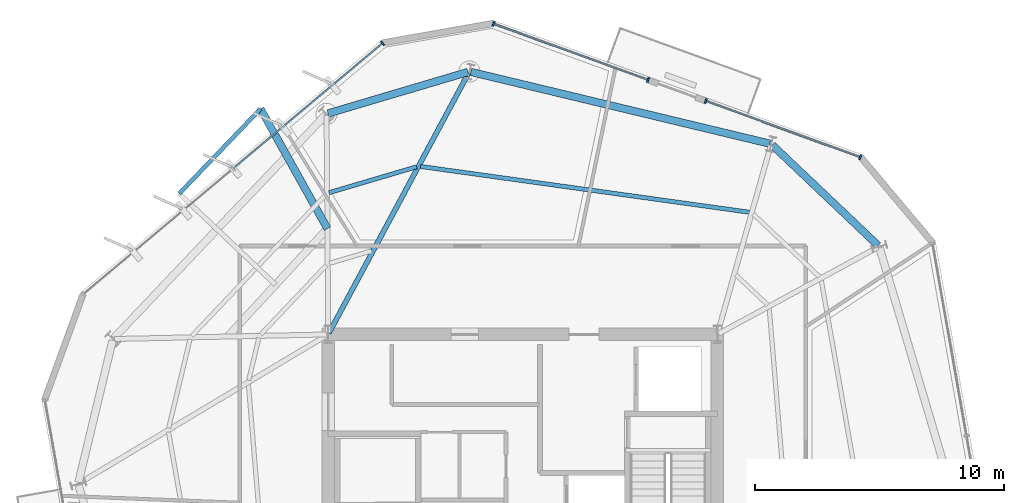
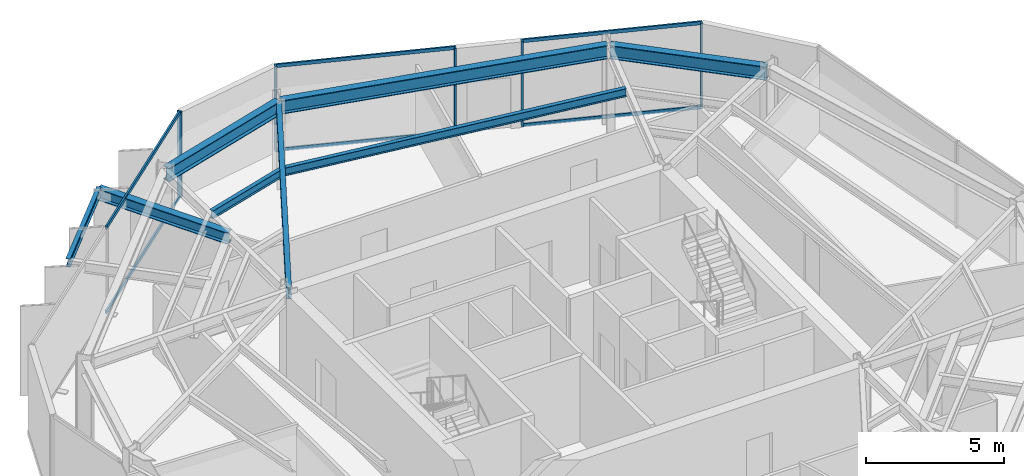
# One storey, part 5 of 11: 11 members, 8 beams, 3 elements without a shape of their own.
"""IFC4 building model written with IfcOpenShell, lengths in metres."""

from ifc_helpers import new_model, si_unit, direction, frame, origin, origin_2d, place, context, subcontext, project, spatial, rectangle, i_section, extrude, material, layer, layer_set, material_profile, profile_set, type_object, element, aggregate, save


model = new_model("IFC4")

# Units and contexts
model_context = context("Model", 3, precision=1e-05, world=origin(), true_north=direction((0.0, 1.0)))
body_context = subcontext(model_context, "Body", "Model", "MODEL_VIEW")
ifc_project = project(units=[si_unit("LENGTHUNIT", "METRE"), si_unit("AREAUNIT", "SQUARE_METRE"), si_unit("VOLUMEUNIT", "CUBIC_METRE"), si_unit("PLANEANGLEUNIT", "RADIAN"), si_unit("MASSUNIT", "GRAM", prefix="KILO")], contexts=[model_context])

# Site, building, storey
site_placement = place(None, origin())
site = spatial("IfcSite", under=ifc_project, at=site_placement, CompositionType="ELEMENT")
building_placement = place(site_placement, origin())
building = spatial("IfcBuilding", under=site, at=building_placement, Name="Kranzbogen Civic Tower", CompositionType="ELEMENT")
storey_placement = place(building_placement, frame((0.0, 0.0, 184.800048828125)))
storey = spatial("IfcBuildingStorey", under=building, at=storey_placement, Name="L44", CompositionType="ELEMENT", Elevation=184.800048828125)

# Curtain wall, members
ifc_material_1 = material(Name="Pale Anodised Aluminium", Category="aluminium")
ifc_layer = layer(ifc_material_1, 0.219970703125, Name="Pale Anodised Aluminium")
ifc_layer_set = layer_set([ifc_layer], Name="Pale Anodised Aluminium")
curtain_wall_type = type_object("IfcCurtainWallType", Name="Zone 3 Stick Curtain Wall System CW-04", PredefinedType="USERDEFINED", material=ifc_layer_set)
curtain_wall_1_placement = place(storey_placement, origin())
curtain_wall_1 = element("IfcCurtainWall", 1, at=curtain_wall_1_placement, inside=storey, type_object=curtain_wall_type, Name="L44 curtain wall CW-L44-F1-S1", ObjectType="STICK CURTAIN WALL", PredefinedType="USERDEFINED")
ifc_material_profile_1 = material_profile(ifc_material_1, rectangle(XDim=0.070068359375, YDim=0.199951171875, at=origin_2d()), Name="ALU-M 70x200")
ifc_profile_set_1 = profile_set([ifc_material_profile_1], Name="Pale Anodised Aluminium")
member_type_1 = type_object("IfcMemberType", Name="Curtain Wall Mullion ALU-M 70x200", PredefinedType="MULLION", material=ifc_profile_set_1)
member_1_placement = place(storey_placement, frame((38.53271484375, 39.30517578125, 0.0), z_axis=(0.0, 0.0, 1.0), x_axis=(-0.93967049042, 0.342080939887, 0.0)))
member_1 = element("IfcMember", 2, at=member_1_placement, type_object=member_type_1, Name="CW-04 mullion 1", PredefinedType="MULLION", context=body_context, shape_type="SweptSolid", body=[
    extrude(rectangle(XDim=0.070068359375, YDim=0.199951171875, at=origin_2d()), origin(), (0.0, 0.0, 1.0), 3.780029296875),
])
member_2_placement = place(storey_placement, frame((32.337158203125, 41.560791015625, 0.0), z_axis=(0.0, 0.0, 1.0), x_axis=(-0.93967049042, 0.342080939887, 0.0)))
member_2 = element("IfcMember", 3, at=member_2_placement, type_object=member_type_1, Name="CW-04 mullion 2", PredefinedType="MULLION", context=body_context, shape_type="SweptSolid", body=[
    extrude(rectangle(XDim=0.070068359375, YDim=0.199951171875, at=origin_2d()), origin(), (0.0, 0.0, 1.0), 3.780029296875),
])

curtain_wall_2_placement = place(storey_placement, origin())
curtain_wall_2 = element("IfcCurtainWall", 4, at=curtain_wall_2_placement, inside=storey, type_object=curtain_wall_type, Name="L44 curtain wall CW-L44-F1-S2", ObjectType="STICK CURTAIN WALL", PredefinedType="USERDEFINED")
member_3_placement = place(storey_placement, frame((30.02587890625, 42.40234375, 0.0), z_axis=(0.0, 0.0, 1.0), x_axis=(-0.93968807461, 0.342032633583, 0.0)))
member_3 = element("IfcMember", 5, at=member_3_placement, type_object=member_type_1, Name="CW-04 mullion 1", PredefinedType="MULLION", context=body_context, shape_type="SweptSolid", body=[
    extrude(rectangle(XDim=0.070068359375, YDim=0.199951171875, at=origin_2d()), origin(), (0.0, 0.0, 1.0), 3.780029296875),
])
member_4_placement = place(storey_placement, frame((23.8291015625, 44.65771484375, 0.0), z_axis=(0.0, 0.0, 1.0), x_axis=(-0.93968807461, 0.342032633583, 0.0)))
member_4 = element("IfcMember", 6, at=member_4_placement, type_object=member_type_1, Name="CW-04 mullion 2", PredefinedType="MULLION", context=body_context, shape_type="SweptSolid", body=[
    extrude(rectangle(XDim=0.070068359375, YDim=0.199951171875, at=origin_2d()), origin(), (0.0, 0.0, 1.0), 3.780029296875),
])

# Curtain wall, member
curtain_wall_3_placement = place(storey_placement, origin())
curtain_wall_3 = element("IfcCurtainWall", 7, at=curtain_wall_3_placement, inside=storey, type_object=curtain_wall_type, Name="L44 curtain wall CW-L44-F2", ObjectType="STICK CURTAIN WALL", PredefinedType="USERDEFINED")
member_5_placement = place(storey_placement, frame((19.376953125, 43.872802734375, 0.0), z_axis=(0.0, 0.0, 1.0), x_axis=(-0.766072212874, -0.642754513529, 0.0)))
member_5 = element("IfcMember", 8, at=member_5_placement, type_object=member_type_1, Name="CW-04 mullion 1", PredefinedType="MULLION", context=body_context, shape_type="SweptSolid", body=[
    extrude(rectangle(XDim=0.070068359375, YDim=0.199951171875, at=origin_2d()), origin(), (0.0, 0.0, 1.0), 3.780029296875),
])

# Member
ifc_material_profile_2 = material_profile(ifc_material_1, rectangle(XDim=0.070068359375, YDim=0.14990234375, at=origin_2d()), Name="ALU-T 70x150")
ifc_profile_set_2 = profile_set([ifc_material_profile_2], Name="Pale Anodised Aluminium")
member_type_2 = type_object("IfcMemberType", Name="Curtain Wall Transom ALU-T 70x150", PredefinedType="USERDEFINED", material=ifc_profile_set_2)
member_6_placement = place(storey_placement, frame((38.504638671875, 39.3154296875, 0.030029296875), z_axis=(-0.939661337162, 0.342106082149, 0.0), x_axis=(-0.342106082149, -0.939661337162, 0.0)))
member_6 = element("IfcMember", 9, at=member_6_placement, type_object=member_type_2, Name="CW-04 transom 1.1", ObjectType="TRANSOM", PredefinedType="USERDEFINED", context=body_context, shape_type="SweptSolid", body=[
    extrude(rectangle(XDim=0.070068359375, YDim=0.14990234375, at=origin_2d()), origin(), (0.0, 0.0, 1.0), 6.533447265625),
])

member_7_placement = place(storey_placement, frame((38.504638671875, 39.3154296875, 3.75), z_axis=(-0.939661337162, 0.342106082149, 0.0), x_axis=(-0.342106082149, -0.939661337162, 0.0)))
member_7 = element("IfcMember", 10, at=member_7_placement, type_object=member_type_2, Name="CW-04 transom 1.2", ObjectType="TRANSOM", PredefinedType="USERDEFINED", context=body_context, shape_type="SweptSolid", body=[
    extrude(rectangle(XDim=0.070068359375, YDim=0.14990234375, at=origin_2d()), origin(), (0.0, 0.0, 1.0), 6.533447265625),
])

aggregate(curtain_wall_1, [member_1, member_2, member_6, member_7])

member_8_placement = place(storey_placement, frame((29.99755859375, 42.41259765625, 0.030029296875), z_axis=(-0.939690836229, 0.342025046316, 0.0), x_axis=(-0.342025046316, -0.939690836229, 0.0)))
member_8 = element("IfcMember", 11, at=member_8_placement, type_object=member_type_2, Name="CW-04 transom 1.1", ObjectType="TRANSOM", PredefinedType="USERDEFINED", context=body_context, shape_type="SweptSolid", body=[
    extrude(rectangle(XDim=0.070068359375, YDim=0.14990234375, at=origin_2d()), origin(), (0.0, 0.0, 1.0), 6.5341796875),
])

member_9_placement = place(storey_placement, frame((29.99755859375, 42.41259765625, 3.75), z_axis=(-0.939690836229, 0.342025046316, 0.0), x_axis=(-0.342025046316, -0.939690836229, 0.0)))
member_9 = element("IfcMember", 12, at=member_9_placement, type_object=member_type_2, Name="CW-04 transom 1.2", ObjectType="TRANSOM", PredefinedType="USERDEFINED", context=body_context, shape_type="SweptSolid", body=[
    extrude(rectangle(XDim=0.070068359375, YDim=0.14990234375, at=origin_2d()), origin(), (0.0, 0.0, 1.0), 6.5341796875),
])

aggregate(curtain_wall_2, [member_3, member_4, member_8, member_9])

member_10_placement = place(storey_placement, frame((19.35400390625, 43.853515625, 0.030029296875), z_axis=(-0.766064667028, -0.642763507001, 0.0), x_axis=(0.642763507001, -0.766064667028, 0.0)))
member_10 = element("IfcMember", 13, at=member_10_placement, type_object=member_type_2, Name="CW-04 transom 1.1", ObjectType="TRANSOM", PredefinedType="USERDEFINED", context=body_context, shape_type="SweptSolid", body=[
    extrude(rectangle(XDim=0.070068359375, YDim=0.14990234375, at=origin_2d()), origin(), (0.0, 0.0, 1.0), 7.763671875),
])

member_11_placement = place(storey_placement, frame((19.35400390625, 43.853515625, 3.75), z_axis=(-0.766064667028, -0.642763507001, 0.0), x_axis=(0.642763507001, -0.766064667028, 0.0)))
member_11 = element("IfcMember", 14, at=member_11_placement, type_object=member_type_2, Name="CW-04 transom 1.2", ObjectType="TRANSOM", PredefinedType="USERDEFINED", context=body_context, shape_type="SweptSolid", body=[
    extrude(rectangle(XDim=0.070068359375, YDim=0.14990234375, at=origin_2d()), origin(), (0.0, 0.0, 1.0), 7.763671875),
])

aggregate(curtain_wall_3, [member_5, member_10, member_11])

# Beams
ifc_material_2 = material(Name="Steel S355", Category="steel")
ifc_material_profile_3 = material_profile(ifc_material_2, i_section(OverallWidth=0.300048828125, OverallDepth=0.5, WebThickness=0.014404296875, FlangeThickness=0.028076171875, at=origin_2d()), Name="HEB 500")
ifc_profile_set_3 = profile_set([ifc_material_profile_3], Name="Steel S355")
beam_type_1 = type_object("IfcBeamType", Name="Perimeter Tube Spandrel Beam HEB 500", PredefinedType="SPANDREL", material=ifc_profile_set_3)
beam_1_placement = place(storey_placement, frame((17.16796875, 36.444091796875, 3.5), z_axis=(-0.48767707516, 0.87302409495, 0.0), x_axis=(-0.87302409495, -0.48767707516, 0.0)))
element("IfcBeam", 15, at=beam_1_placement, inside=storey, type_object=beam_type_1, Name="L45 back-spanned terrace beam L45-TB2-1", PredefinedType="SPANDREL", context=body_context, shape_type="SweptSolid", body=[
    extrude(i_section(OverallWidth=0.300048828125, OverallDepth=0.5, WebThickness=0.014404296875, FlangeThickness=0.028076171875, at=origin_2d()), origin(), (0.0, 0.0, 1.0), 5.499267578125),
])
ifc_material_profile_4 = material_profile(ifc_material_2, i_section(OverallWidth=0.300048828125, OverallDepth=0.60009765625, WebThickness=0.015380859375, FlangeThickness=0.030029296875, at=origin_2d()), Name="HEB 600")
ifc_profile_set_4 = profile_set([ifc_material_profile_4], Name="Steel S355")
beam_type_2 = type_object("IfcBeamType", Name="Perimeter Tube Spandrel Beam HEB 600", PredefinedType="SPANDREL", material=ifc_profile_set_4)
beam_2_placement = place(storey_placement, frame((39.2490234375, 35.764892578125, 3.47998046875), z_axis=(-0.725245206788, 0.688490660816, 0.0), x_axis=(-0.688490660816, -0.725245206788, 0.0)))
element("IfcBeam", 16, at=beam_2_placement, inside=storey, type_object=beam_type_2, Name="L44 perimeter spandrel beam 07", PredefinedType="SPANDREL", context=body_context, shape_type="SweptSolid", body=[
    extrude(i_section(OverallWidth=0.300048828125, OverallDepth=0.60009765625, WebThickness=0.015380859375, FlangeThickness=0.030029296875, at=origin_2d()), origin(), (0.0, 0.0, 1.0), 5.85205078125),
])
beam_3_placement = place(storey_placement, frame((34.903076171875, 39.84912109375, 3.47998046875), z_axis=(-0.972377592092, 0.233413406637, 0.0), x_axis=(-0.233413406637, -0.972377592092, 0.0)))
element("IfcBeam", 17, at=beam_3_placement, inside=storey, type_object=beam_type_2, Name="L44 perimeter spandrel beam 08", PredefinedType="SPANDREL", context=body_context, shape_type="SweptSolid", body=[
    extrude(i_section(OverallWidth=0.300048828125, OverallDepth=0.60009765625, WebThickness=0.015380859375, FlangeThickness=0.030029296875, at=origin_2d()), origin(), (0.0, 0.0, 1.0), 12.32568359375),
])
beam_4_placement = place(storey_placement, frame((22.802001953125, 42.722900390625, 3.47998046875), z_axis=(-0.9588296723, -0.283981794341, 0.0), x_axis=(0.283981794341, -0.9588296723, 0.0)))
element("IfcBeam", 18, at=beam_4_placement, inside=storey, type_object=beam_type_2, Name="L44 perimeter spandrel beam 09", PredefinedType="SPANDREL", context=body_context, shape_type="SweptSolid", body=[
    extrude(i_section(OverallWidth=0.300048828125, OverallDepth=0.60009765625, WebThickness=0.015380859375, FlangeThickness=0.030029296875, at=origin_2d()), origin(), (0.0, 0.0, 1.0), 5.85205078125),
])
ifc_material_profile_5 = material_profile(ifc_material_2, i_section(OverallWidth=0.199951171875, OverallDepth=0.5, WebThickness=0.01025390625, FlangeThickness=0.01611328125, at=origin_2d()), Name="IPE 500")
ifc_profile_set_5 = profile_set([ifc_material_profile_5], Name="Steel S355")
beam_type_3 = type_object("IfcBeamType", Name="Radial Tower Floor Girder IPE 500", PredefinedType="BEAM", material=ifc_profile_set_5)
beam_5_placement = place(storey_placement, frame((22.83203125, 42.68701171875, 3.530029296875), z_axis=(-0.473160413549, -0.880976289721, 0.0), x_axis=(0.880976289721, -0.473160413549, 0.0)))
element("IfcBeam", 19, at=beam_5_placement, inside=storey, type_object=beam_type_3, Name="L44 radial floor girder 09", PredefinedType="BEAM", context=body_context, shape_type="SweptSolid", body=[
    extrude(i_section(OverallWidth=0.199951171875, OverallDepth=0.5, WebThickness=0.01025390625, FlangeThickness=0.01611328125, at=origin_2d()), origin(), (0.0, 0.0, 1.0), 11.84375),
])
ifc_material_profile_6 = material_profile(ifc_material_2, i_section(OverallWidth=0.169921875, OverallDepth=0.360107421875, WebThickness=0.008056640625, FlangeThickness=0.0126953125, at=origin_2d()), Name="IPE 360")
ifc_profile_set_6 = profile_set([ifc_material_profile_6], Name="Steel S355")
beam_type_4 = type_object("IfcBeamType", Name="Secondary Composite Floor Joist IPE 360", PredefinedType="JOIST", material=ifc_profile_set_6)
beam_6_placement = place(storey_placement, frame((34.10400390625, 37.096923828125, 3.599853515625), z_axis=(-0.990445837232, 0.137902296968, 0.0), x_axis=(-0.137902296968, -0.990445837232, 0.0)))
element("IfcBeam", 20, at=beam_6_placement, inside=storey, type_object=beam_type_4, Name="L44 secondary floor joist 1.08", PredefinedType="JOIST", context=body_context, shape_type="SweptSolid", body=[
    extrude(i_section(OverallWidth=0.169921875, OverallDepth=0.360107421875, WebThickness=0.008056640625, FlangeThickness=0.0126953125, at=origin_2d()), origin(), (0.0, 0.0, 1.0), 13.329345703125),
])
beam_7_placement = place(storey_placement, frame((20.74609375, 38.923095703125, 3.599853515625), z_axis=(-0.958843823165, -0.283934011309, 0.0), x_axis=(0.283934011309, -0.958843823165, 0.0)))
element("IfcBeam", 21, at=beam_7_placement, inside=storey, type_object=beam_type_4, Name="L44 secondary floor joist 1.09", PredefinedType="JOIST", context=body_context, shape_type="SweptSolid", body=[
    extrude(i_section(OverallWidth=0.169921875, OverallDepth=0.360107421875, WebThickness=0.008056640625, FlangeThickness=0.0126953125, at=origin_2d()), origin(), (0.0, 0.0, 1.0), 3.662841796875),
])
beam_8_placement = place(storey_placement, frame((14.486083984375, 41.2451171875, 3.570068359375), z_axis=(-0.692290836582, -0.721618595648, 0.0), x_axis=(0.721618595648, -0.692290836582, 0.0)))
element("IfcBeam", 22, at=beam_8_placement, inside=storey, type_object=beam_type_4, Name="L45 terrace outer edge trimmer L45-TB2", PredefinedType="JOIST", context=body_context, shape_type="SweptSolid", body=[
    extrude(i_section(OverallWidth=0.169921875, OverallDepth=0.360107421875, WebThickness=0.008056640625, FlangeThickness=0.0126953125, at=origin_2d()), origin(), (0.0, 0.0, 1.0), 4.703369140625),
])

save(model, "model.ifc")
